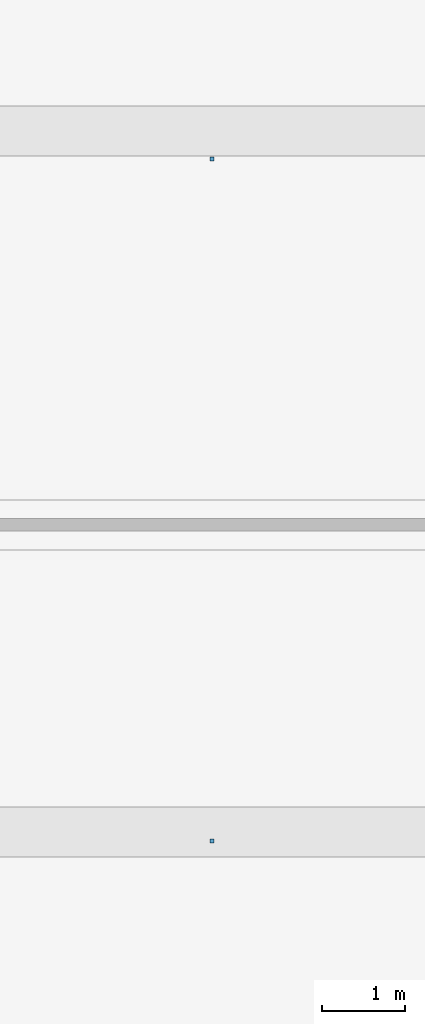
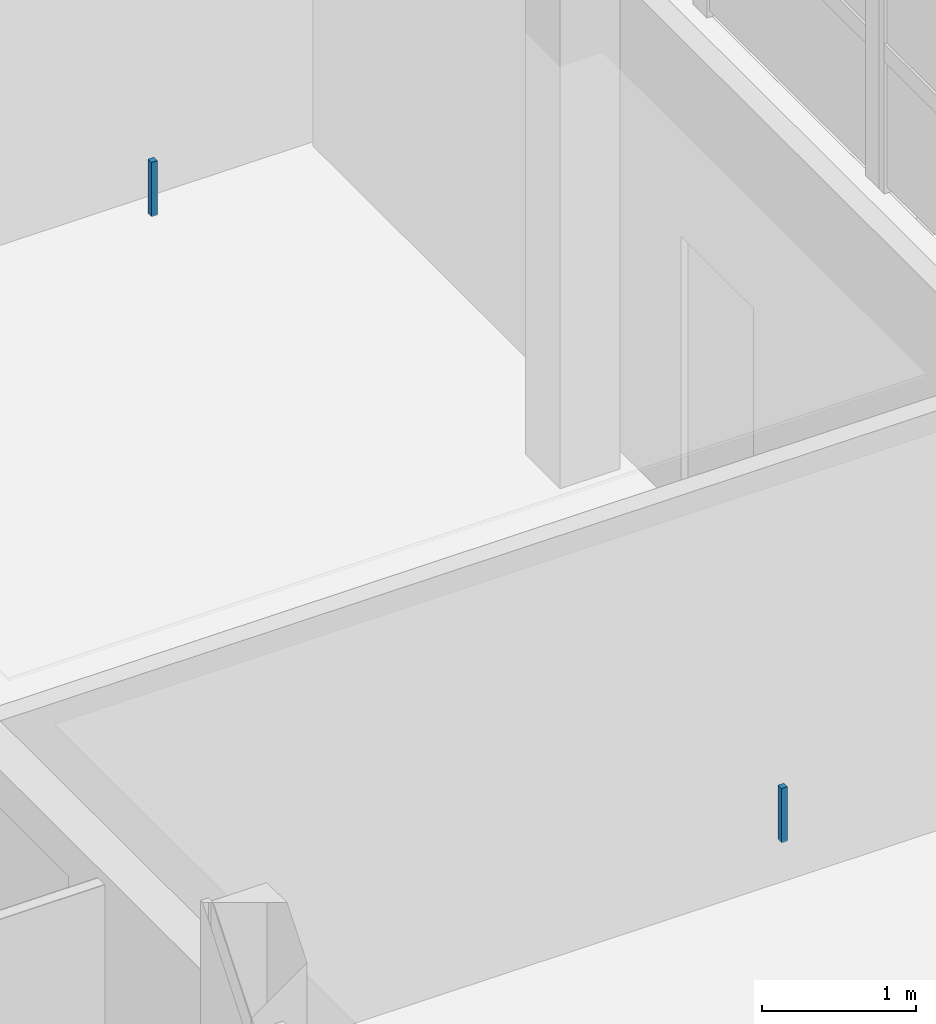
# One storey, part 67 of 86: 2 discrete accessories.
"""IFC4 building model written with IfcOpenShell, lengths in metres."""

from ifc_helpers import new_model, si_unit, derived_unit, direction, frame, origin, origin_2d, place, context, subcontext, project, spatial, rectangle, extrude, material, type_object, element, save


model = new_model("IFC4")

# Units and contexts
model_context = context("Model", 3, precision=1e-05, world=origin(), true_north=direction((0.0, 1.0)))
body_context = subcontext(model_context, "Body", "Model", "MODEL_VIEW")
ifc_project = project(units=[si_unit("LENGTHUNIT", "METRE"), si_unit("AREAUNIT", "SQUARE_METRE"), si_unit("VOLUMEUNIT", "CUBIC_METRE"), si_unit("PLANEANGLEUNIT", "RADIAN"), si_unit("MASSUNIT", "GRAM", prefix="KILO"), derived_unit("THERMALTRANSMITTANCEUNIT", [(si_unit("POWERUNIT", "WATT"), 1), (si_unit("LENGTHUNIT", "METRE"), -2), (si_unit("THERMODYNAMICTEMPERATUREUNIT", "KELVIN"), -1)])], contexts=[model_context])

# Site, building, storey
site_placement = place(None, origin())
site = spatial("IfcSite", under=ifc_project, at=site_placement, CompositionType="ELEMENT")
building_placement = place(site_placement, origin())
building = spatial("IfcBuilding", under=site, at=building_placement, Name="Braskholm Square Health Centre", CompositionType="ELEMENT")
storey_placement = place(building_placement, frame((0.0, 0.0, 13.5)))
storey = spatial("IfcBuildingStorey", under=building, at=storey_placement, Name="L04", CompositionType="ELEMENT", Elevation=13.5)

# Discrete accessories
ifc_material = material(Name="Steel ASTM A500 Grade C", Category="steel")
discrete_accessory_type = type_object("IfcDiscreteAccessoryType", Name="CeilingSuspensionBracket", PredefinedType="BRACKET", material=ifc_material)
for number, where, z_axis, x_axis, name in (
    (1, (8.06005859375, 63.68994140625, 3.33203125), (0.0, 0.0, 1.0), (1.0, 0.0, 0.0), "Ceiling hanger bracket 0065"),
    (2, (8.06005859375, 71.864990234375, 3.33203125), (0.0, 0.0, 1.0), (1.0, 0.0, 0.0), "Ceiling hanger bracket 0066"),
):
    element("IfcDiscreteAccessory", number, at=place(storey_placement, frame(where, z_axis=z_axis, x_axis=x_axis)), inside=storey, type_object=discrete_accessory_type, Name=name, PredefinedType="BRACKET", context=body_context, shape_type="SweptSolid", body=[
        extrude(rectangle(XDim=0.044921875, YDim=0.044921875, at=origin_2d()), origin(), (0.0, 0.0, 1.0), 0.429931640625),
    ])

save(model, "model.ifc")
